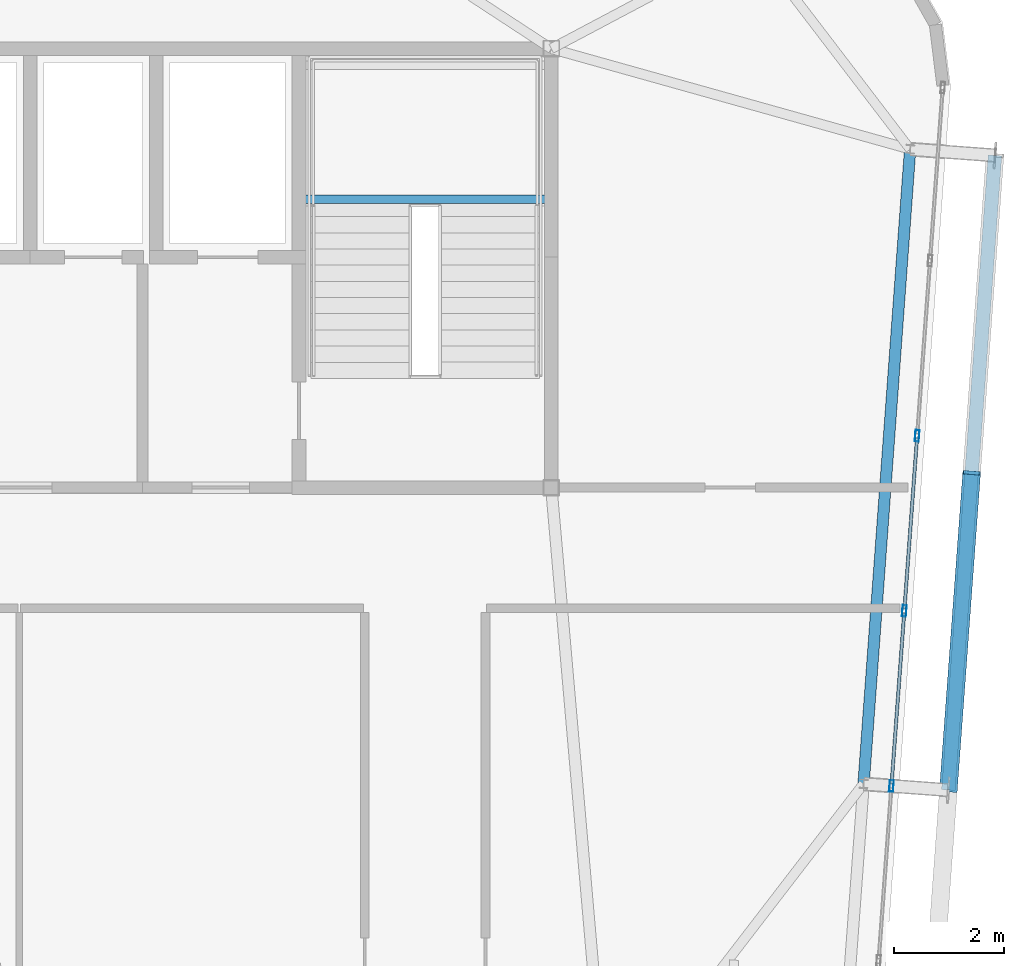
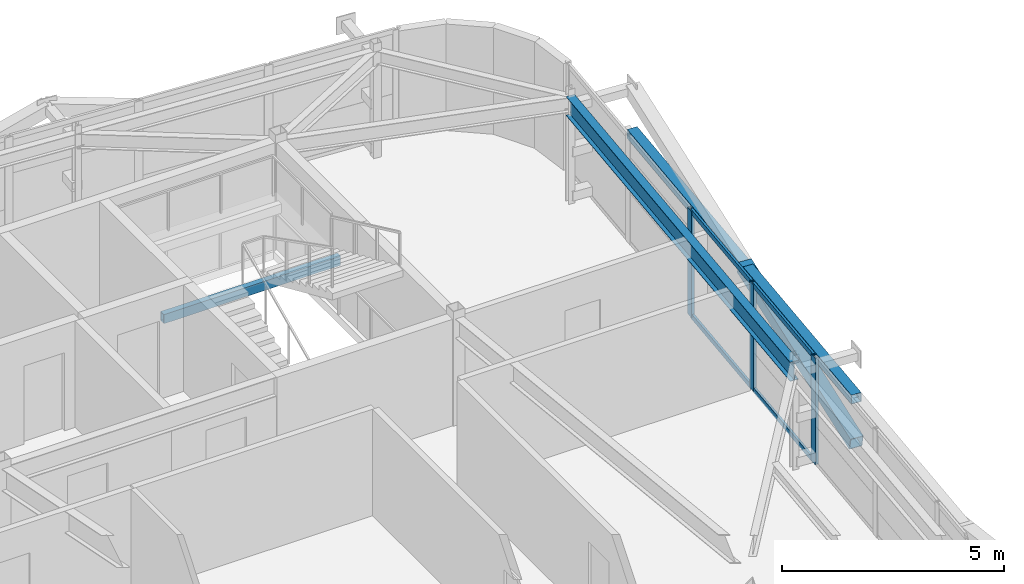
# One storey, part 23 of 42: 9 members, 2 beams, 1 element without a shape of its own.
"""IFC4 building model written with IfcOpenShell, lengths in metres."""

from ifc_helpers import new_model, si_unit, direction, frame, origin, origin_2d, place, context, subcontext, project, spatial, hollow_rectangle, i_section, extrude, source, transform, mapped, material, layer, layer_set, material_profile, profile_set, type_object, element, aggregate, save


model = new_model("IFC4")

# Units and contexts
model_context = context("Model", 3, precision=1e-05, world=origin(), true_north=direction((0.0, 1.0)))
body_context = subcontext(model_context, "Body", "Model", "MODEL_VIEW")
ifc_project = project(units=[si_unit("LENGTHUNIT", "METRE"), si_unit("AREAUNIT", "SQUARE_METRE"), si_unit("VOLUMEUNIT", "CUBIC_METRE"), si_unit("PLANEANGLEUNIT", "RADIAN"), si_unit("MASSUNIT", "GRAM", prefix="KILO")], contexts=[model_context])

# Site, building, storey
site_placement = place(None, origin())
site = spatial("IfcSite", under=ifc_project, at=site_placement, CompositionType="ELEMENT")
building_placement = place(site_placement, origin())
building = spatial("IfcBuilding", under=site, at=building_placement, Name="Taldren Reach Tower", CompositionType="ELEMENT")
storey_placement = place(building_placement, frame((0.0, 0.0, 220.85009765625)))
storey = spatial("IfcBuildingStorey", under=building, at=storey_placement, Name="L67", CompositionType="ELEMENT", Elevation=220.85009765625)

# Beam
ifc_material_1 = material(Name="Steel Gr 350 (350PLUS)", Category="steel")
ifc_material_profile_1 = material_profile(ifc_material_1, i_section(OverallWidth=0.208984375, OverallDepth=0.528076171875, WebThickness=0.009521484375, FlangeThickness=0.01318359375, at=origin_2d()), Name="530UB82.0")
ifc_profile_set_1 = profile_set([ifc_material_profile_1], Name="Steel Gr 350 (350PLUS)")
beam_type_1 = type_object("IfcBeamType", Name="SP-UB530B", PredefinedType="SPANDREL", material=ifc_profile_set_1)
shared_shape_1 = source(origin(), body_context, "Body", "SweptSolid", [
    extrude(i_section(OverallWidth=0.208984375, OverallDepth=0.528076171875, WebThickness=0.009521484375, FlangeThickness=0.01318359375, at=origin_2d()), origin(), (0.0, 0.0, 1.0), 11.60009765625),
])
beam_1_placement = place(storey_placement, frame((56.69140625, 18.599853515625, 2.666015625), z_axis=(0.073221234109, 0.997315722766, 0.0), x_axis=(-0.997315722766, 0.073221234109, 0.0)))
element("IfcBeam", 1, at=beam_1_placement, inside=storey, type_object=beam_type_1, Name="Perimeter spandrel B5 E2-E3 L67", PredefinedType="SPANDREL", context=body_context, shape_type="MappedRepresentation", body=[
    mapped(shared_shape_1, transform((0.0, 0.0, 0.0), scale=1.0)),
])

# Members
ifc_material_2 = material(Name="Steel Gr 450 (C450L0)", Category="steel")
ifc_material_profile_2 = material_profile(ifc_material_2, hollow_rectangle(XDim=0.324951171875, YDim=0.324951171875, WallThickness=0.0126953125, at=origin_2d()), Name="325x325x12.7SHS")
ifc_profile_set_2 = profile_set([ifc_material_profile_2], Name="Steel Gr 450 (C450L0)")
member_type_1 = type_object("IfcMemberType", Name="MB-BR324", PredefinedType="BRACE", material=ifc_profile_set_2)
shared_shape_2 = source(origin(), body_context, "Body", "SweptSolid", [
    extrude(hollow_rectangle(XDim=0.324951171875, YDim=0.324951171875, WallThickness=0.0126953125, at=origin_2d()), origin(), (0.0, 0.0, 1.0), 5.92578125),
])
member_1_placement = place(storey_placement, frame((58.237060546875, 18.486328125, 0.219970703125), z_axis=(0.071686540919, 0.976131732187, 0.205007027365), x_axis=(-0.997314185625, 0.073242167855, 0.0)))
element("IfcMember", 2, at=member_1_placement, inside=storey, type_object=member_type_1, Name="Exoskeleton Diagrid Brace B5-E2 L67", PredefinedType="BRACE", context=body_context, shape_type="MappedRepresentation", body=[
    mapped(shared_shape_2, transform((0.0, 0.0, 0.0), scale=1.0)),
])
ifc_material_3 = material(Name="Steel Gr 350 (C350L0)", Category="steel")
ifc_material_profile_3 = material_profile(ifc_material_3, hollow_rectangle(XDim=0.25, YDim=0.25, WallThickness=0.010009765625, at=origin_2d()), Name="250x250x10.0SHS")
ifc_profile_set_3 = profile_set([ifc_material_profile_3], Name="Steel Gr 350 (C350L0)")
member_type_2 = type_object("IfcMemberType", Name="MB-POST250", PredefinedType="POST", material=ifc_profile_set_3)
shared_shape_3 = source(origin(), body_context, "Body", "SweptSolid", [
    extrude(hollow_rectangle(XDim=0.25, YDim=0.25, WallThickness=0.010009765625, at=origin_2d()), origin(), (0.0, 0.0, 1.0), 11.60009765625),
])
member_2_placement = place(storey_placement, frame((58.237060546875, 18.486328125, 1.434814453125), z_axis=(0.073242167855, 0.997314185625, 0.0), x_axis=(-0.997314185625, 0.073242167855, 0.0)))
element("IfcMember", 3, at=member_2_placement, inside=storey, type_object=member_type_2, Name="Exoskeleton mid-height ring chord B5-E2 L67", PredefinedType="POST", context=body_context, shape_type="MappedRepresentation", body=[
    mapped(shared_shape_3, transform((0.0, 0.0, 0.0), scale=1.0)),
])

# Curtain wall, members
ifc_material_4 = material(Name="Aluminium and Low-E Glass Unitised System", Category="aluminium")
ifc_layer = layer(ifc_material_4, 0.159912109375)
ifc_layer_set = layer_set([ifc_layer], Name="Aluminium and Low-E Glass Unitised System")
curtain_wall_type = type_object("IfcCurtainWallType", Name="CW-SYS-6", PredefinedType="NOTDEFINED", material=ifc_layer_set)
curtain_wall_placement = place(storey_placement, origin())
curtain_wall = element("IfcCurtainWall", 4, at=curtain_wall_placement, inside=storey, type_object=curtain_wall_type, Name="Unitised curtain wall CW-L67-E", PredefinedType="NOTDEFINED")
ifc_material_5 = material(Name="Anodised Aluminium 6063-T6", Category="aluminium")
ifc_material_profile_4 = material_profile(ifc_material_5, hollow_rectangle(XDim=0.074951171875, YDim=0.2099609375, WallThickness=0.00439453125, at=origin_2d()), Name="ALU-210x75x4.5RHS")
ifc_profile_set_4 = profile_set([ifc_material_profile_4], Name="Anodised Aluminium 6063-T6")
member_type_3 = type_object("IfcMemberType", Name="CW-MUL-200", PredefinedType="MULLION", material=ifc_profile_set_4)
shared_shape_4 = source(origin(), body_context, "Body", "SweptSolid", [
    extrude(hollow_rectangle(XDim=0.074951171875, YDim=0.2099609375, WallThickness=0.00439453125, at=origin_2d()), origin(), (0.0, 0.0, 1.0), 2.929931640625),
])
member_3_placement = place(storey_placement, frame((57.199951171875, 18.5625, 0.0), z_axis=(0.0, 0.0, 1.0), x_axis=(-0.997314470951, 0.073238282558, 0.0)))
member_3 = element("IfcMember", 5, at=member_3_placement, type_object=member_type_3, Name="CW-6 mullion 5", PredefinedType="MULLION", context=body_context, shape_type="MappedRepresentation", body=[
    mapped(shared_shape_4, transform((0.0, 0.0, 0.0), scale=1.0)),
])
member_4_placement = place(storey_placement, frame((57.434326171875, 21.75390625, 0.0), z_axis=(0.0, 0.0, 1.0), x_axis=(-0.997314470951, 0.073238282558, 0.0)))
member_4 = element("IfcMember", 6, at=member_4_placement, type_object=member_type_3, Name="CW-6 mullion 6", PredefinedType="MULLION", context=body_context, shape_type="MappedRepresentation", body=[
    mapped(shared_shape_4, transform((0.0, 0.0, 0.0), scale=1.0)),
])
member_5_placement = place(storey_placement, frame((57.668701171875, 24.9453125, 0.0), z_axis=(0.0, 0.0, 1.0), x_axis=(-0.997314470951, 0.073238282558, 0.0)))
member_5 = element("IfcMember", 7, at=member_5_placement, type_object=member_type_3, Name="CW-6 mullion 7", PredefinedType="MULLION", context=body_context, shape_type="MappedRepresentation", body=[
    mapped(shared_shape_4, transform((0.0, 0.0, 0.0), scale=1.0)),
])
ifc_material_profile_5 = material_profile(ifc_material_5, hollow_rectangle(XDim=0.06005859375, YDim=0.135009765625, WallThickness=0.00341796875, at=origin_2d()), Name="ALU-135x60x3.5RHS")
ifc_profile_set_5 = profile_set([ifc_material_profile_5], Name="Anodised Aluminium 6063-T6")
member_type_4 = type_object("IfcMemberType", Name="CW-TRN-150", PredefinedType="USERDEFINED", material=ifc_profile_set_5)
shared_shape_5 = source(origin(), body_context, "Body", "SweptSolid", [
    extrude(hollow_rectangle(XDim=0.06005859375, YDim=0.135009765625, WallThickness=0.00341796875, at=origin_2d()), origin(), (0.0, 0.0, 1.0), 3.124755859375),
])
member_6_placement = place(storey_placement, frame((57.20263671875, 18.599853515625, 0.02978515625), z_axis=(0.073284589347, 0.997311069308, 0.0), x_axis=(-0.997311069308, 0.073284589347, 0.0)))
member_6 = element("IfcMember", 8, at=member_6_placement, type_object=member_type_4, Name="CW-6 transom 5.1", ObjectType="TRANSOM", PredefinedType="USERDEFINED", context=body_context, shape_type="MappedRepresentation", body=[
    mapped(shared_shape_5, transform((0.0, 0.0, 0.0), scale=1.0)),
])
member_7_placement = place(storey_placement, frame((57.20263671875, 18.599853515625, 2.89990234375), z_axis=(0.073284589347, 0.997311069308, 0.0), x_axis=(-0.997311069308, 0.073284589347, 0.0)))
member_7 = element("IfcMember", 9, at=member_7_placement, type_object=member_type_4, Name="CW-6 transom 5.2", ObjectType="TRANSOM", PredefinedType="USERDEFINED", context=body_context, shape_type="MappedRepresentation", body=[
    mapped(shared_shape_5, transform((0.0, 0.0, 0.0), scale=1.0)),
])
member_8_placement = place(storey_placement, frame((57.43701171875, 21.791259765625, 0.02978515625), z_axis=(0.073284589347, 0.997311069308, 0.0), x_axis=(-0.997311069308, 0.073284589347, 0.0)))
member_8 = element("IfcMember", 10, at=member_8_placement, type_object=member_type_4, Name="CW-6 transom 6.1", ObjectType="TRANSOM", PredefinedType="USERDEFINED", context=body_context, shape_type="MappedRepresentation", body=[
    mapped(shared_shape_5, transform((0.0, 0.0, 0.0), scale=1.0)),
])
member_9_placement = place(storey_placement, frame((57.43701171875, 21.791259765625, 2.89990234375), z_axis=(0.073284589347, 0.997311069308, 0.0), x_axis=(-0.997311069308, 0.073284589347, 0.0)))
member_9 = element("IfcMember", 11, at=member_9_placement, type_object=member_type_4, Name="CW-6 transom 6.2", ObjectType="TRANSOM", PredefinedType="USERDEFINED", context=body_context, shape_type="MappedRepresentation", body=[
    mapped(shared_shape_5, transform((0.0, 0.0, 0.0), scale=1.0)),
])
aggregate(curtain_wall, [member_3, member_4, member_5, member_6, member_7, member_8, member_9])

# Beam
ifc_material_profile_6 = material_profile(ifc_material_3, hollow_rectangle(XDim=0.14990234375, YDim=0.25, WallThickness=0.009033203125, at=origin_2d()), Name="250x150x9.0RHS")
ifc_profile_set_6 = profile_set([ifc_material_profile_6], Name="Steel Gr 350 (C350L0)")
beam_type_2 = type_object("IfcBeamType", Name="LN-RHS250", PredefinedType="LINTEL", material=ifc_profile_set_6)
shared_shape_6 = source(origin(), body_context, "Body", "SweptSolid", [
    extrude(hollow_rectangle(XDim=0.14990234375, YDim=0.25, WallThickness=0.009033203125, at=origin_2d()), origin(), (0.0, 0.0, 1.0), 4.60009765625),
])
beam_2_placement = place(storey_placement, frame((46.39990234375, 29.2548828125, 1.27001953125), z_axis=(1.0, 0.0, 0.0), x_axis=(0.0, 1.0, 0.0)))
element("IfcBeam", 12, at=beam_2_placement, inside=storey, type_object=beam_type_2, Name="Stair half-landing support beam ST2-L67-1", PredefinedType="LINTEL", context=body_context, shape_type="MappedRepresentation", body=[
    mapped(shared_shape_6, transform((0.0, 0.0, 0.0), scale=1.0)),
])

save(model, "model.ifc")
